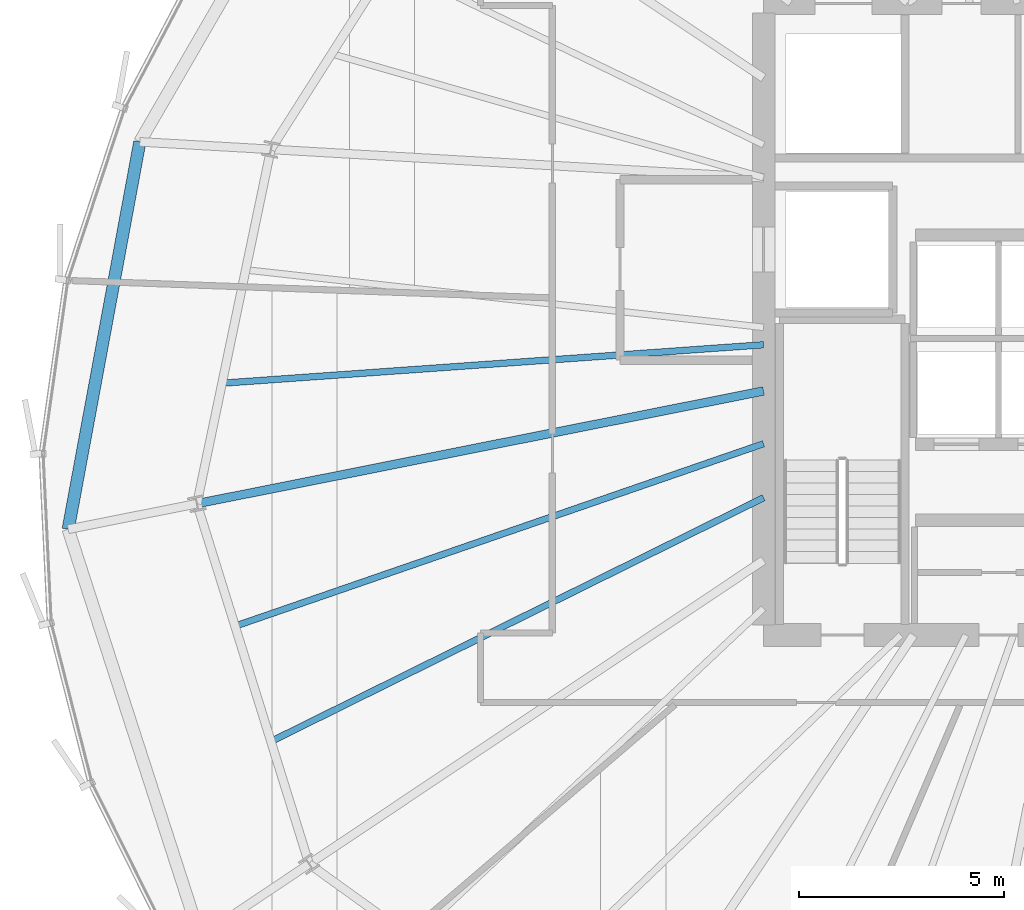
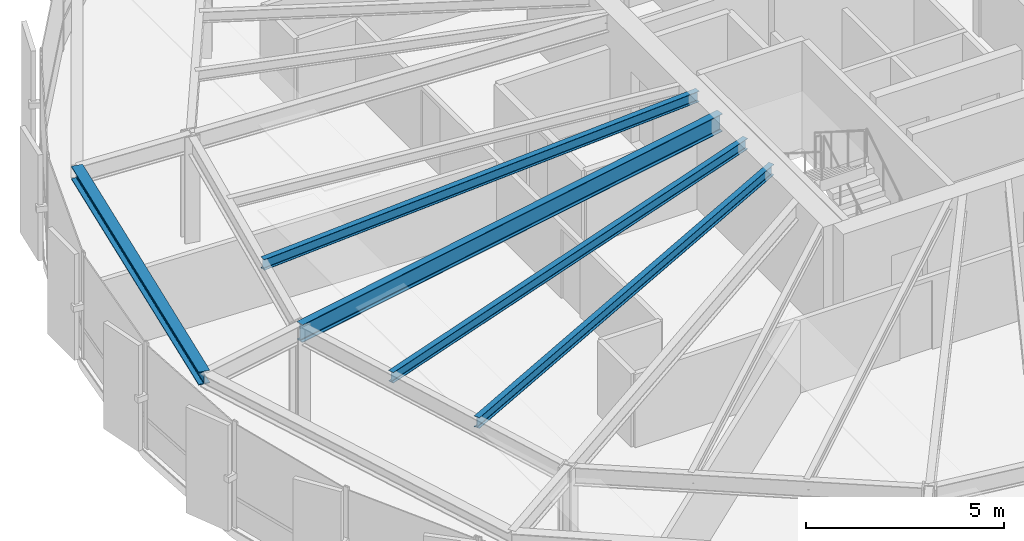
# One storey, part 10 of 36: 5 beams.
"""IFC4 building model written with IfcOpenShell, lengths in metres."""

from ifc_helpers import new_model, si_unit, direction, frame, origin, origin_2d, place, context, subcontext, project, spatial, i_section, extrude, source, transform, mapped, material, material_profile, profile_set, type_object, element, save


model = new_model("IFC4")

# Units and contexts
model_context = context("Model", 3, precision=1e-05, world=origin(), true_north=direction((0.0, 1.0)))
body_context = subcontext(model_context, "Body", "Model", "MODEL_VIEW")
ifc_project = project(units=[si_unit("LENGTHUNIT", "METRE"), si_unit("AREAUNIT", "SQUARE_METRE"), si_unit("VOLUMEUNIT", "CUBIC_METRE"), si_unit("PLANEANGLEUNIT", "RADIAN"), si_unit("MASSUNIT", "GRAM", prefix="KILO"), si_unit("THERMODYNAMICTEMPERATUREUNIT", "KELVIN")], contexts=[model_context])

# Site, building, storey
site_placement = place(None, origin())
site = spatial("IfcSite", under=ifc_project, at=site_placement, CompositionType="ELEMENT")
building_placement = place(site_placement, origin())
building = spatial("IfcBuilding", under=site, at=building_placement, Name="Kethvar Cultural Tower", CompositionType="ELEMENT")
storey_placement = place(building_placement, frame((0.0, 0.0, 164.300048828125)))
storey = spatial("IfcBuildingStorey", under=building, at=storey_placement, Name="L42", CompositionType="ELEMENT", Elevation=164.300048828125)

# Beams
ifc_material = material(Name="Steel S355J2", Category="steel")
ifc_material_profile_1 = material_profile(ifc_material, i_section(OverallWidth=0.2099609375, OverallDepth=0.550048828125, WebThickness=0.010986328125, FlangeThickness=0.01708984375, FilletRadius=0.02392578125, at=origin_2d()), Name="Steel S355J2 — IPE550")
ifc_profile_set_1 = profile_set([ifc_material_profile_1], Name="Steel S355J2 — IPE550")
beam_type_1 = type_object("IfcBeamType", Name="BM-IPE550", PredefinedType="BEAM", material=ifc_profile_set_1)
shared_shape_1 = source(origin(), body_context, "Body", "SweptSolid", [
    extrude(i_section(OverallWidth=0.2099609375, OverallDepth=0.550048828125, WebThickness=0.010986328125, FlangeThickness=0.01708984375, FilletRadius=0.02392578125, at=origin_2d()), origin(), (0.0, 0.0, 1.0), 14.085205078125),
])
beam_1_placement = place(storey_placement, frame((38.0, 26.049560546875, 3.02294921875), z_axis=(-0.98078679373, -0.195082713854, 0.0), x_axis=(0.195082713854, -0.98078679373, 0.0)))
element("IfcBeam", 1, at=beam_1_placement, inside=storey, type_object=beam_type_1, Name="L42 Primary Radial Beam RB-09", PredefinedType="BEAM", context=body_context, shape_type="MappedRepresentation", body=[
    mapped(shared_shape_1, transform((0.0, 0.0, 0.0), scale=1.0)),
])
ifc_material_profile_2 = material_profile(ifc_material, i_section(OverallWidth=0.300048828125, OverallDepth=0.39990234375, WebThickness=0.013427734375, FlangeThickness=0.02392578125, FilletRadius=0.027099609375, at=origin_2d()), Name="Steel S355J2 — HEB400")
ifc_profile_set_2 = profile_set([ifc_material_profile_2], Name="Steel S355J2 — HEB400")
beam_type_2 = type_object("IfcBeamType", Name="BM-SP400", PredefinedType="SPANDREL", material=ifc_profile_set_2)
shared_shape_2 = source(origin(), body_context, "Body", "SweptSolid", [
    extrude(i_section(OverallWidth=0.300048828125, OverallDepth=0.39990234375, WebThickness=0.013427734375, FlangeThickness=0.02392578125, FilletRadius=0.027099609375, at=origin_2d()), origin(), (0.0, 0.0, 1.0), 9.605712890625),
])
beam_2_placement = place(storey_placement, frame((22.793701171875, 32.123046875, 3.097900390625), z_axis=(-0.1818526217, -0.983325797476, 0.0), x_axis=(0.983325797476, -0.1818526217, 0.0)))
element("IfcBeam", 2, at=beam_2_placement, inside=storey, type_object=beam_type_2, Name="L42 Perimeter Spandrel Beam SP-08", PredefinedType="SPANDREL", context=body_context, shape_type="MappedRepresentation", body=[
    mapped(shared_shape_2, transform((0.0, 0.0, 0.0), scale=1.0)),
])
ifc_material_profile_3 = material_profile(ifc_material, i_section(OverallWidth=0.159912109375, OverallDepth=0.330078125, WebThickness=0.007568359375, FlangeThickness=0.011474609375, FilletRadius=0.01806640625, at=origin_2d()), Name="Steel S355J2 — IPE330")
ifc_profile_set_3 = profile_set([ifc_material_profile_3], Name="Steel S355J2 — IPE330")
beam_type_3 = type_object("IfcBeamType", Name="BM-J330", PredefinedType="JOIST", material=ifc_profile_set_3)
shared_shape_3 = source(origin(), body_context, "Body", "SweptSolid", [
    extrude(i_section(OverallWidth=0.159912109375, OverallDepth=0.330078125, WebThickness=0.007568359375, FlangeThickness=0.011474609375, FilletRadius=0.01806640625, at=origin_2d()), origin(), (0.0, 0.0, 1.0), 13.234619140625),
])
beam_3_placement = place(storey_placement, frame((38.0, 27.175537109375, 3.133056640625), z_axis=(-0.997490530945, -0.070800004767, 0.0), x_axis=(0.070800004767, -0.997490530945, 0.0)))
element("IfcBeam", 3, at=beam_3_placement, inside=storey, type_object=beam_type_3, Name="L42 Composite Floor Joist J-08B", PredefinedType="JOIST", context=body_context, shape_type="MappedRepresentation", body=[
    mapped(shared_shape_3, transform((0.0, 0.0, 0.0), scale=1.0)),
])
shared_shape_4 = source(origin(), body_context, "Body", "SweptSolid", [
    extrude(i_section(OverallWidth=0.159912109375, OverallDepth=0.330078125, WebThickness=0.007568359375, FlangeThickness=0.011474609375, FilletRadius=0.01806640625, at=origin_2d()), origin(), (0.0, 0.0, 1.0), 13.630615234375),
])
beam_4_placement = place(storey_placement, frame((38.0, 24.762451171875, 3.133056640625), z_axis=(-0.945269577646, -0.326290400682, 0.0), x_axis=(0.326290400682, -0.945269577646, 0.0)))
element("IfcBeam", 4, at=beam_4_placement, inside=storey, type_object=beam_type_3, Name="L42 Composite Floor Joist J-09A", PredefinedType="JOIST", context=body_context, shape_type="MappedRepresentation", body=[
    mapped(shared_shape_4, transform((0.0, 0.0, 0.0), scale=1.0)),
])
shared_shape_5 = source(origin(), body_context, "Body", "SweptSolid", [
    extrude(i_section(OverallWidth=0.159912109375, OverallDepth=0.330078125, WebThickness=0.007568359375, FlangeThickness=0.011474609375, FilletRadius=0.01806640625, at=origin_2d()), origin(), (0.0, 0.0, 1.0), 13.39892578125),
])
beam_5_placement = place(storey_placement, frame((38.0, 23.44580078125, 3.133056640625), z_axis=(-0.896292467417, -0.44346342899, 0.0), x_axis=(0.44346342899, -0.896292467417, 0.0)))
element("IfcBeam", 5, at=beam_5_placement, inside=storey, type_object=beam_type_3, Name="L42 Composite Floor Joist J-09B", PredefinedType="JOIST", context=body_context, shape_type="MappedRepresentation", body=[
    mapped(shared_shape_5, transform((0.0, 0.0, 0.0), scale=1.0)),
])

save(model, "model.ifc")
